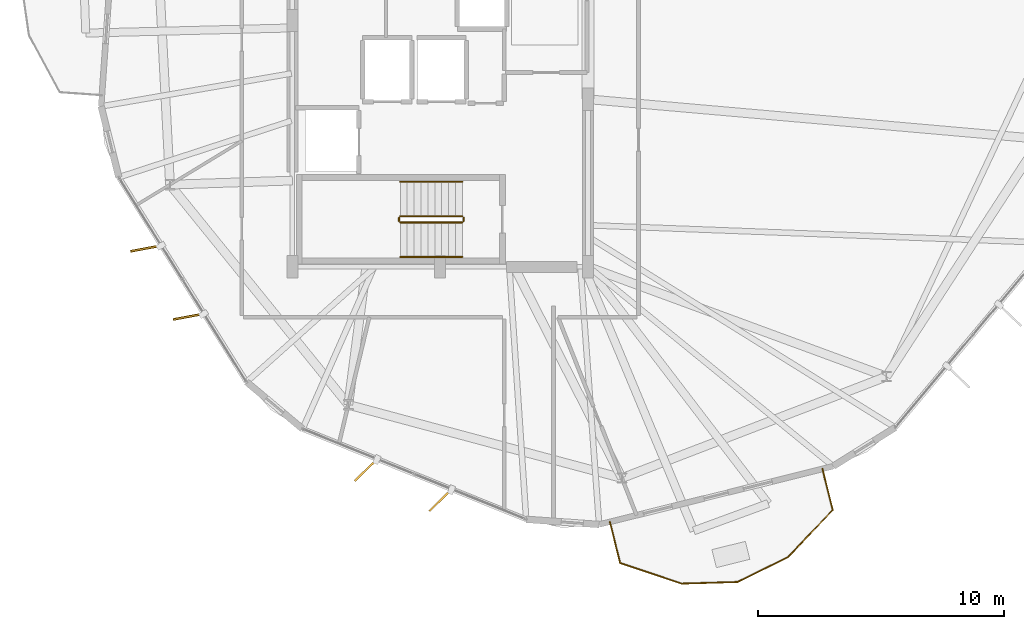
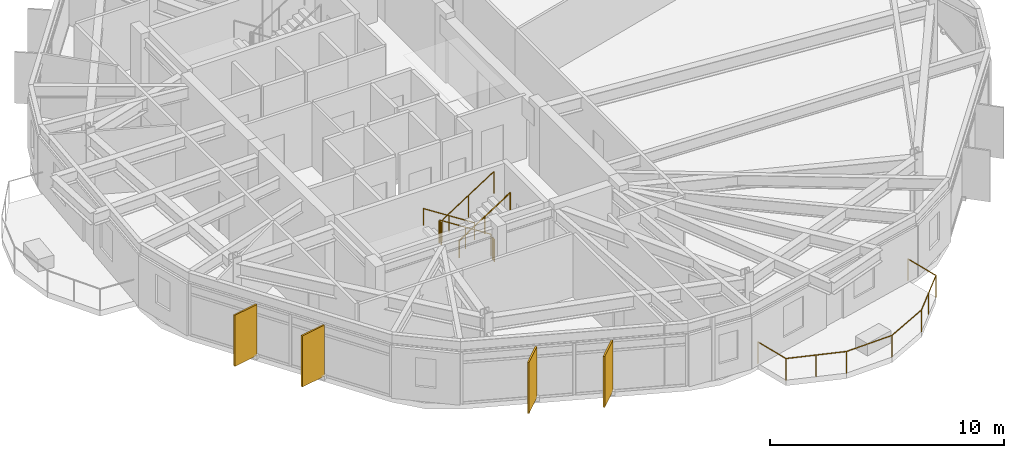
# One storey, part 21 of 23: 7 railings, 4 shading devices.
"""IFC4 building model written with IfcOpenShell, lengths in metres."""

from ifc_helpers import new_model, si_unit, direction, frame, origin, origin_2d, place, context, subcontext, project, spatial, rectangle, circle, extrude, material, layer, layer_set, type_object, element, save


model = new_model("IFC4")

# Units and contexts
model_context = context("Model", 3, precision=1e-05, world=origin(), true_north=direction((0.0, 1.0)))
body_context = subcontext(model_context, "Body", "Model", "MODEL_VIEW")
ifc_project = project(units=[si_unit("LENGTHUNIT", "METRE"), si_unit("AREAUNIT", "SQUARE_METRE"), si_unit("VOLUMEUNIT", "CUBIC_METRE"), si_unit("PLANEANGLEUNIT", "RADIAN"), si_unit("MASSUNIT", "GRAM", prefix="KILO")], contexts=[model_context])

# Site, building, storey
site_placement = place(None, origin())
site = spatial("IfcSite", under=ifc_project, at=site_placement, CompositionType="ELEMENT")
building_placement = place(site_placement, origin())
building = spatial("IfcBuilding", under=site, at=building_placement, Name="Soratama Intermodal Tower", CompositionType="ELEMENT")
storey_placement = place(building_placement, frame((0.0, 0.0, 215.800048828125)))
storey = spatial("IfcBuildingStorey", under=building, at=storey_placement, Name="L54", CompositionType="ELEMENT", Elevation=215.800048828125)

# Railings
ifc_material_1 = material(Name="Laminated glass and stainless steel balustrade", Category="steel")
railing_type_1 = type_object("IfcRailingType", Name="RL-BAL-1150", PredefinedType="BALUSTRADE", material=ifc_material_1)
railing_1_placement = place(storey_placement, frame((54.11279296875, 6.79638671875, 0.0)))
element("IfcRailing", 1, at=railing_1_placement, inside=storey, type_object=railing_type_1, Name="L54 Balcony Balustrade 3", PredefinedType="BALUSTRADE", context=body_context, shape_type="SweptSolid", body=[
    extrude(circle(Radius=0.02392578125, at=origin_2d()), frame((0.0, 0.0, 1.1259765625), z_axis=(0.241567031949, -0.970384134802, 0.0), x_axis=(0.970384134802, 0.241567031949, 0.0)), (0.0, 0.0, 1.0), 1.72021484375),
    extrude(circle(Radius=0.02392578125, at=origin_2d()), frame((0.41552734375, -1.669189453125, 1.1259765625), z_axis=(-0.688807902629, -0.724943910434, 0.0), x_axis=(0.724943910434, -0.688807902629, 0.0)), (0.0, 0.0, 1.0), 2.635009765625),
    extrude(circle(Radius=0.02392578125, at=origin_2d()), frame((-1.3994140625, -3.579345703125, 1.1259765625), z_axis=(-0.896605933264, -0.442829312982, 0.0), x_axis=(0.442829312982, -0.896605933264, 0.0)), (0.0, 0.0, 1.0), 2.274658203125),
    extrude(circle(Radius=0.02392578125, at=origin_2d()), frame((-3.43896484375, -4.586669921875, 1.1259765625), z_axis=(-0.999573854735, -0.029190904927, 0.0), x_axis=(0.029190904927, -0.999573854735, 0.0)), (0.0, 0.0, 1.0), 2.27490234375),
    extrude(circle(Radius=0.02392578125, at=origin_2d()), frame((-5.712890625, -4.653076171875, 1.1259765625), z_axis=(-0.948302699294, 0.317367280153, 0.0), x_axis=(-0.317367280153, -0.948302699294, 0.0)), (0.0, 0.0, 1.0), 2.634765625),
    extrude(circle(Radius=0.02392578125, at=origin_2d()), frame((-8.21142578125, -3.81689453125, 1.1259765625), z_axis=(-0.241567031949, 0.970384134802, 0.0), x_axis=(-0.970384134802, -0.241567031949, 0.0)), (0.0, 0.0, 1.0), 1.72021484375),
    extrude(circle(Radius=0.02099609375, at=origin_2d()), origin(), (0.0, 0.0, 1.0), 1.101806640625),
    extrude(circle(Radius=0.02099609375, at=origin_2d()), frame((0.41552734375, -1.669189453125, 0.0)), (0.0, 0.0, 1.0), 1.101806640625),
    extrude(circle(Radius=0.02099609375, at=origin_2d()), frame((-0.491943359375, -2.624267578125, 0.0)), (0.0, 0.0, 1.0), 1.101806640625),
    extrude(circle(Radius=0.02099609375, at=origin_2d()), frame((-1.3994140625, -3.579345703125, 0.0)), (0.0, 0.0, 1.0), 1.101806640625),
    extrude(circle(Radius=0.02099609375, at=origin_2d()), frame((-3.43896484375, -4.586669921875, 0.0)), (0.0, 0.0, 1.0), 1.101806640625),
    extrude(circle(Radius=0.02099609375, at=origin_2d()), frame((-5.712890625, -4.653076171875, 0.0)), (0.0, 0.0, 1.0), 1.101806640625),
    extrude(circle(Radius=0.02099609375, at=origin_2d()), frame((-6.962158203125, -4.23486328125, 0.0)), (0.0, 0.0, 1.0), 1.101806640625),
    extrude(circle(Radius=0.02099609375, at=origin_2d()), frame((-8.21142578125, -3.81689453125, 0.0)), (0.0, 0.0, 1.0), 1.101806640625),
    extrude(circle(Radius=0.02099609375, at=origin_2d()), frame((-8.626953125, -2.147705078125, 0.0)), (0.0, 0.0, 1.0), 1.101806640625),
])
ifc_material_2 = material(Name="Painted steel stair guardrail", Category="steel")
railing_type_2 = type_object("IfcRailingType", Name="RL-STAIR-GUARD", PredefinedType="GUARDRAIL", material=ifc_material_2)
railing_2_placement = place(storey_placement, frame((39.5, 17.050048828125, 0.179931640625)))
element("IfcRailing", 2, at=railing_2_placement, inside=storey, type_object=railing_type_2, Name="L54 ST-1 stair guard 1", PredefinedType="GUARDRAIL", context=body_context, shape_type="SweptSolid", body=[
    extrude(circle(Radius=0.02392578125, at=origin_2d()), frame((0.0, 0.0, 1.1259765625), z_axis=(-0.841162588446, 0.0, 0.540782303519), x_axis=(0.0, -1.0, 0.0)), (0.0, 0.0, 1.0), 2.995849609375),
    extrude(circle(Radius=0.02099609375, at=origin_2d()), origin(), (0.0, 0.0, 1.0), 1.101806640625),
    extrude(circle(Radius=0.02099609375, at=origin_2d()), frame((-1.260009765625, 0.0, 0.81005859375)), (0.0, 0.0, 1.0), 1.101806640625),
    extrude(circle(Radius=0.02099609375, at=origin_2d()), frame((-2.52001953125, 0.0, 1.6201171875)), (0.0, 0.0, 1.0), 1.101806640625),
])
railing_3_placement = place(storey_placement, frame((36.929931640625, 17.0, 1.800048828125)))
element("IfcRailing", 3, at=railing_3_placement, inside=storey, type_object=railing_type_2, Name="L54 ST-1 stair guard 2", PredefinedType="GUARDRAIL", context=body_context, shape_type="SweptSolid", body=[
    extrude(circle(Radius=0.02392578125, at=origin_2d()), frame((0.0, 0.0, 1.1259765625), z_axis=(0.0, -1.0, 0.0), x_axis=(1.0, 0.0, 0.0)), (0.0, 0.0, 1.0), 0.14990234375),
    extrude(circle(Radius=0.02099609375, at=origin_2d()), origin(), (0.0, 0.0, 1.0), 1.101806640625),
    extrude(circle(Radius=0.02099609375, at=origin_2d()), frame((0.0, -0.14990234375, 0.0)), (0.0, 0.0, 1.0), 1.101806640625),
])
railing_4_placement = place(storey_placement, frame((36.97998046875, 16.800048828125, 1.97998046875)))
element("IfcRailing", 4, at=railing_4_placement, inside=storey, type_object=railing_type_2, Name="L54 ST-1 stair guard 3", PredefinedType="GUARDRAIL", context=body_context, shape_type="SweptSolid", body=[
    extrude(circle(Radius=0.02392578125, at=origin_2d()), frame((0.0, 0.0, 1.1259765625), z_axis=(0.841199657755, 0.0, 0.540724639528), x_axis=(0.0, 1.0, 0.0)), (0.0, 0.0, 1.0), 2.995849609375),
    extrude(circle(Radius=0.02099609375, at=origin_2d()), origin(), (0.0, 0.0, 1.0), 1.101806640625),
    extrude(circle(Radius=0.02099609375, at=origin_2d()), frame((1.260009765625, 0.0, 0.81005859375)), (0.0, 0.0, 1.0), 1.101806640625),
    extrude(circle(Radius=0.02099609375, at=origin_2d()), frame((2.52001953125, 0.0, 1.619873046875)), (0.0, 0.0, 1.0), 1.101806640625),
])
railing_5_placement = place(storey_placement, frame((39.550048828125, 17.0, 0.0)))
element("IfcRailing", 5, at=railing_5_placement, inside=storey, type_object=railing_type_2, Name="L54 ST-1 stair guard 4", PredefinedType="GUARDRAIL", context=body_context, shape_type="SweptSolid", body=[
    extrude(circle(Radius=0.02392578125, at=origin_2d()), frame((0.0, 0.0, 1.1259765625), z_axis=(0.0, -1.0, 0.0), x_axis=(1.0, 0.0, 0.0)), (0.0, 0.0, 1.0), 0.14990234375),
    extrude(circle(Radius=0.02099609375, at=origin_2d()), origin(), (0.0, 0.0, 1.0), 1.101806640625),
    extrude(circle(Radius=0.02099609375, at=origin_2d()), frame((0.0, -0.14990234375, 0.0)), (0.0, 0.0, 1.0), 1.101806640625),
])
ifc_material_3 = material(Name="Brushed stainless steel handrail", Category="steel")
railing_type_3 = type_object("IfcRailingType", Name="RL-STAIR-HAND", PredefinedType="HANDRAIL", material=ifc_material_3)
railing_6_placement = place(storey_placement, frame((39.5, 18.449951171875, 0.179931640625)))
element("IfcRailing", 6, at=railing_6_placement, inside=storey, type_object=railing_type_3, Name="L54 ST-1 stair handrail 1", PredefinedType="HANDRAIL", context=body_context, shape_type="SweptSolid", body=[
    extrude(circle(Radius=0.02392578125, at=origin_2d()), frame((0.0, 0.0, 0.8759765625), z_axis=(-0.841162588446, 0.0, 0.540782303519), x_axis=(0.0, -1.0, 0.0)), (0.0, 0.0, 1.0), 2.995849609375),
    extrude(circle(Radius=0.02099609375, at=origin_2d()), origin(), (0.0, 0.0, 1.0), 0.851806640625),
    extrude(circle(Radius=0.02099609375, at=origin_2d()), frame((-1.260009765625, 0.0, 0.81005859375)), (0.0, 0.0, 1.0), 0.851806640625),
    extrude(circle(Radius=0.02099609375, at=origin_2d()), frame((-2.52001953125, 0.0, 1.6201171875)), (0.0, 0.0, 1.0), 0.851806640625),
])
railing_7_placement = place(storey_placement, frame((36.97998046875, 15.39990234375, 1.97998046875)))
element("IfcRailing", 7, at=railing_7_placement, inside=storey, type_object=railing_type_3, Name="L54 ST-1 stair handrail 2", PredefinedType="HANDRAIL", context=body_context, shape_type="SweptSolid", body=[
    extrude(circle(Radius=0.02392578125, at=origin_2d()), frame((0.0, 0.0, 0.8759765625), z_axis=(0.841199657755, 0.0, 0.540724639528), x_axis=(0.0, 1.0, 0.0)), (0.0, 0.0, 1.0), 2.995849609375),
    extrude(circle(Radius=0.02099609375, at=origin_2d()), origin(), (0.0, 0.0, 1.0), 0.851806640625),
    extrude(circle(Radius=0.02099609375, at=origin_2d()), frame((1.260009765625, 0.0, 0.81005859375)), (0.0, 0.0, 1.0), 0.851806640625),
    extrude(circle(Radius=0.02099609375, at=origin_2d()), frame((2.52001953125, 0.0, 1.619873046875)), (0.0, 0.0, 1.0), 0.851806640625),
])

# Shading devices
ifc_material_4 = material(Name="Champagne anodised aluminium solar fin", Category="aluminium")
ifc_layer = layer(ifc_material_4, 0.080078125)
ifc_layer_set = layer_set([ifc_layer], Name="Champagne anodised aluminium solar fin")
shading_device_type = type_object("IfcShadingDeviceType", Name="SH-FIN-1250", PredefinedType="USERDEFINED", material=ifc_layer_set)
for number, where, z_axis, x_axis, name in (
    (8, (26.65087890625, 15.743896484375, 0.02001953125), (0.0, 0.0, 1.0), (-0.98293534915, -0.183951350613, 0.0), "L54 Solar Fin F05-1"),
    (9, (28.37939453125, 12.975830078125, 0.02001953125), (0.0, 0.0, 1.0), (-0.98293534915, -0.183951350613, 0.0), "L54 Solar Fin F05-2"),
    (10, (35.5771484375, 6.74462890625, 0.02001953125), (0.0, 0.0, 1.0), (-0.715936483022, -0.698165418993, 0.0), "L54 Solar Fin F06-1"),
    (11, (38.6025390625, 5.52099609375, 0.02001953125), (0.0, 0.0, 1.0), (-0.715936483022, -0.698165418993, 0.0), "L54 Solar Fin F06-2"),
):
    element("IfcShadingDevice", number, at=place(storey_placement, frame(where, z_axis=z_axis, x_axis=x_axis)), inside=storey, type_object=shading_device_type, Name=name, ObjectType="FIN", PredefinedType="USERDEFINED", context=body_context, shape_type="SweptSolid", body=[
        extrude(rectangle(XDim=1.25, YDim=0.080078125, at=origin_2d()), origin(), (0.0, 0.0, 1.0), 2.658935546875),
    ])

save(model, "model.ifc")
